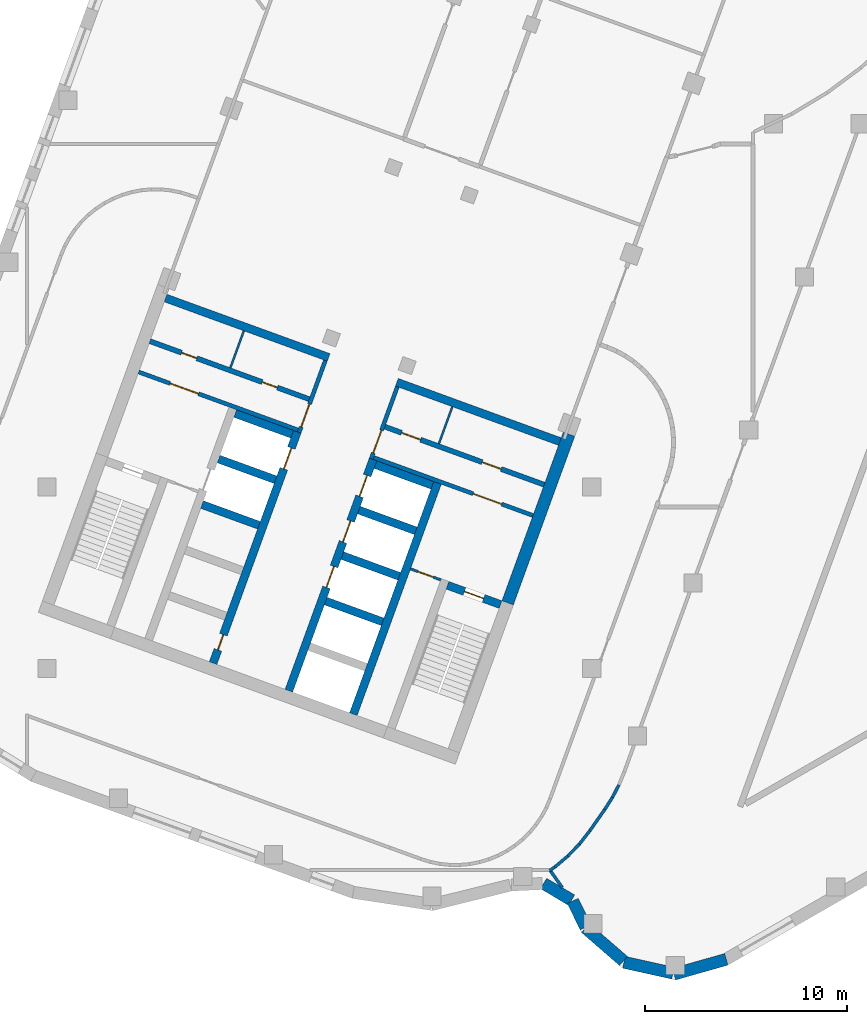
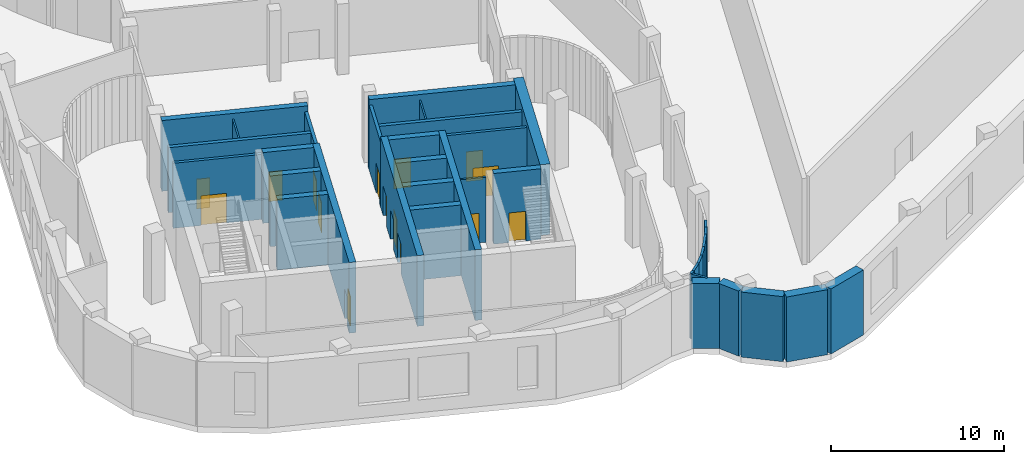
# One storey, part 9 of 24: 36 walls, 15 doors, 15 openings.
"""IFC4 building model written with IfcOpenShell, lengths in metres."""

from ifc_helpers import new_model, si_unit, direction, frame, frame_2d, origin, place, context, subcontext, project, spatial, rectangle, extrude, material, layer, layer_set, type_object, element, fill, save


model = new_model("IFC4")

# Units and contexts
model_context = context("Model", 3, precision=1e-05, world=origin(), true_north=direction((0.0, 1.0)))
body_context = subcontext(model_context, "Body", "Model", "MODEL_VIEW")
ifc_project = project(units=[si_unit("LENGTHUNIT", "METRE"), si_unit("AREAUNIT", "SQUARE_METRE"), si_unit("VOLUMEUNIT", "CUBIC_METRE"), si_unit("PLANEANGLEUNIT", "RADIAN"), si_unit("MASSUNIT", "GRAM", prefix="KILO")], contexts=[model_context])

# Site, building, storey
site_placement = place(None, origin())
site = spatial("IfcSite", under=ifc_project, at=site_placement, CompositionType="ELEMENT")
building_placement = place(site_placement, origin())
building = spatial("IfcBuilding", under=site, at=building_placement, Name="Skarvind Civic Tower", CompositionType="ELEMENT")
storey_placement = place(building_placement, frame((0.0, 0.0, 12.5)))
storey = spatial("IfcBuildingStorey", under=building, at=storey_placement, Name="L02", CompositionType="ELEMENT", Elevation=12.5)

# Wall, opening, door
ifc_material_1 = material(Name="Fire-rated masonry partition", Category="masonry")
ifc_layer_1 = layer(ifc_material_1, 0.199951171875)
ifc_layer_set_1 = layer_set([ifc_layer_1], Name="Core enclosure wall 200")
wall_type_1 = type_object("IfcWallType", Name="Core enclosure wall 200", PredefinedType="PARTITIONING", material=ifc_layer_set_1)
wall_1_placement = place(storey_placement, frame((31.491455078125, 93.693359375, 0.0), z_axis=(0.0, 0.0, 1.0), x_axis=(0.341995824804, 0.939701471648, 0.0)))
wall_1 = element("IfcWall", 1, at=wall_1_placement, inside=storey, type_object=wall_type_1, Name="Core wall C2", PredefinedType="PARTITIONING", context=body_context, shape_type="SweptSolid", body=[
    extrude(rectangle(XDim=3.800048828125, YDim=0.199951171875, at=frame_2d((1.89990234375, 0.0))), origin(), (0.0, 0.0, 1.0), 4.60009765625),
])
opening_1_placement = place(wall_1_placement, frame((0.300048828125, 0.0, 0.0)))
opening_1 = element("IfcOpeningElement", 2, at=opening_1_placement, cuts=wall_1, Name="Opening D-L02-C2-06", PredefinedType="OPENING", context=body_context, shape_type="SweptSolid", body=[
    extrude(rectangle(XDim=1.199951171875, YDim=2.10009765625, at=frame_2d((0.60009765625, 1.050048828125))), frame((0.0, 0.10986328125, 0.0), z_axis=(0.0, -1.0, 0.0), x_axis=(1.0, 0.0, 0.0)), (0.0, 0.0, 1.0), 0.219970703125),
])
ifc_material_2 = material(Name="Fire-rated steel door", Category="steel")
door_type_1 = type_object("IfcDoorType", Name="Core lobby door 1200", OperationType="NOTDEFINED", PredefinedType="DOOR", material=ifc_material_2)
door_1_placement = place(opening_1_placement, origin())
door_1 = element("IfcDoor", 3, at=door_1_placement, inside=storey, type_object=door_type_1, Name="Fire door", OperationType="DOUBLE_DOOR_SINGLE_SWING", OverallHeight=2.10009765625, OverallWidth=1.199951171875, PredefinedType="DOOR", context=body_context, shape_type="SweptSolid", body=[
    extrude(rectangle(XDim=1.199951171875, YDim=2.10009765625, at=frame_2d((0.60009765625, 1.050048828125))), frame((0.0, 0.02490234375, 0.0), z_axis=(0.0, -1.0, 0.0), x_axis=(1.0, 0.0, 0.0)), (0.0, 0.0, 1.0), 0.050048828125),
])
fill(opening_1, door_1)

wall_2_placement = place(storey_placement, frame((23.5380859375, 96.6943359375, 0.0), z_axis=(0.0, 0.0, 1.0), x_axis=(0.939691552312, -0.342023078919, 0.0)))
wall_2 = element("IfcWall", 4, at=wall_2_placement, inside=storey, type_object=wall_type_1, Name="Core wall C2", PredefinedType="PARTITIONING", context=body_context, shape_type="SweptSolid", body=[
    extrude(rectangle(XDim=8.400146484375, YDim=0.199951171875, at=frame_2d((4.2001953125, 0.0))), origin(), (0.0, 0.0, 1.0), 4.60009765625),
])
opening_2_placement = place(wall_2_placement, frame((1.64990234375, 0.0, 0.0)))
opening_2 = element("IfcOpeningElement", 5, at=opening_2_placement, cuts=wall_2, Name="Opening D-L02-C2-07", PredefinedType="OPENING", context=body_context, shape_type="SweptSolid", body=[
    extrude(rectangle(XDim=1.5, YDim=2.10009765625, at=frame_2d((0.75, 1.050048828125))), frame((0.0, 0.10986328125, 0.0), z_axis=(0.0, -1.0, 0.0), x_axis=(1.0, 0.0, 0.0)), (0.0, 0.0, 1.0), 0.219970703125),
])
door_type_2 = type_object("IfcDoorType", Name="Fire door 1500", OperationType="NOTDEFINED", PredefinedType="DOOR", material=ifc_material_2)
door_2_placement = place(opening_2_placement, origin())
door_2 = element("IfcDoor", 6, at=door_2_placement, inside=storey, type_object=door_type_2, Name="Fire door", OperationType="DOUBLE_DOOR_SINGLE_SWING", OverallHeight=2.10009765625, OverallWidth=1.5, PredefinedType="DOOR", context=body_context, shape_type="SweptSolid", body=[
    extrude(rectangle(XDim=1.5, YDim=2.10009765625, at=frame_2d((0.75, 1.050048828125))), frame((0.0, 0.02490234375, 0.0), z_axis=(0.0, -1.0, 0.0), x_axis=(1.0, 0.0, 0.0)), (0.0, 0.0, 1.0), 0.050048828125),
])
fill(opening_2, door_2)

wall_3_placement = place(storey_placement, frame((36.36181640625, 95.96435546875, 0.0), z_axis=(0.0, 0.0, 1.0), x_axis=(-0.341995824804, -0.939701471648, 0.0)))
wall_3 = element("IfcWall", 7, at=wall_3_placement, inside=storey, type_object=wall_type_1, Name="Core wall C2", PredefinedType="PARTITIONING", context=body_context, shape_type="SweptSolid", body=[
    extrude(rectangle(XDim=3.800048828125, YDim=0.199951171875, at=frame_2d((1.89990234375, 0.0))), origin(), (0.0, 0.0, 1.0), 4.60009765625),
])
opening_3_placement = place(wall_3_placement, frame((2.300048828125, 0.0, 0.0)))
opening_3 = element("IfcOpeningElement", 8, at=opening_3_placement, cuts=wall_3, Name="Opening D-L02-C2-12", PredefinedType="OPENING", context=body_context, shape_type="SweptSolid", body=[
    extrude(rectangle(XDim=1.199951171875, YDim=2.10009765625, at=frame_2d((0.60009765625, 1.050048828125))), frame((0.0, 0.10986328125, 0.0), z_axis=(0.0, -1.0, 0.0), x_axis=(1.0, 0.0, 0.0)), (0.0, 0.0, 1.0), 0.219970703125),
])
door_3_placement = place(opening_3_placement, origin())
door_3 = element("IfcDoor", 9, at=door_3_placement, inside=storey, type_object=door_type_1, Name="Fire door", OperationType="DOUBLE_DOOR_SINGLE_SWING", OverallHeight=2.10009765625, OverallWidth=1.199951171875, PredefinedType="DOOR", context=body_context, shape_type="SweptSolid", body=[
    extrude(rectangle(XDim=1.199951171875, YDim=2.10009765625, at=frame_2d((0.60009765625, 1.050048828125))), frame((0.0, 0.02490234375, 0.0), z_axis=(0.0, -1.0, 0.0), x_axis=(1.0, 0.0, 0.0)), (0.0, 0.0, 1.0), 0.050048828125),
])
fill(opening_3, door_3)

wall_4_placement = place(storey_placement, frame((35.1904296875, 92.453369140625, 0.0), z_axis=(0.0, 0.0, 1.0), x_axis=(0.939691552312, -0.342023078919, 0.0)))
wall_4 = element("IfcWall", 10, at=wall_4_placement, inside=storey, type_object=wall_type_1, Name="Core wall C2", PredefinedType="PARTITIONING", context=body_context, shape_type="SweptSolid", body=[
    extrude(rectangle(XDim=8.400146484375, YDim=0.199951171875, at=frame_2d((4.2001953125, 0.0))), origin(), (0.0, 0.0, 1.0), 4.60009765625),
])
opening_4_placement = place(wall_4_placement, frame((5.25, 0.0, 0.0)))
opening_4 = element("IfcOpeningElement", 11, at=opening_4_placement, cuts=wall_4, Name="Opening D-L02-C2-13", PredefinedType="OPENING", context=body_context, shape_type="SweptSolid", body=[
    extrude(rectangle(XDim=1.5, YDim=2.10009765625, at=frame_2d((0.75, 1.050048828125))), frame((0.0, 0.10986328125, 0.0), z_axis=(0.0, -1.0, 0.0), x_axis=(1.0, 0.0, 0.0)), (0.0, 0.0, 1.0), 0.219970703125),
])
door_4_placement = place(opening_4_placement, origin())
door_4 = element("IfcDoor", 12, at=door_4_placement, inside=storey, type_object=door_type_2, Name="Fire door", OperationType="DOUBLE_DOOR_SINGLE_SWING", OverallHeight=2.10009765625, OverallWidth=1.5, PredefinedType="DOOR", context=body_context, shape_type="SweptSolid", body=[
    extrude(rectangle(XDim=1.5, YDim=2.10009765625, at=frame_2d((0.75, 1.050048828125))), frame((0.0, 0.02490234375, 0.0), z_axis=(0.0, -1.0, 0.0), x_axis=(1.0, 0.0, 0.0)), (0.0, 0.0, 1.0), 0.050048828125),
])
fill(opening_4, door_4)

# Walls
ifc_material_3 = material(Name="Fire-rated plasterboard partition")
ifc_layer_2 = layer(ifc_material_3, 0.10009765625)
ifc_layer_set_2 = layer_set([ifc_layer_2], Name="Core partition wall 100")
wall_type_2 = type_object("IfcWallType", Name="Core partition wall 100", PredefinedType="PARTITIONING", material=ifc_layer_set_2)
for number, where, z_axis, x_axis, name in (
    (13, (28.08349609375, 96.90234375, 0.0), (0.0, 0.0, 1.0), (0.342024501273, 0.939691034611, 0.0), "Core wall C2"),
    (14, (39.087158203125, 94.97265625, 0.0), (0.0, 0.0, 1.0), (-0.342024501273, -0.939691034611, 0.0), "Core wall C2"),
):
    element("IfcWall", number, at=place(storey_placement, frame(where, z_axis=z_axis, x_axis=x_axis)), inside=storey, type_object=wall_type_2, Name=name, PredefinedType="PARTITIONING", context=body_context, shape_type="SweptSolid", body=[
        extrude(rectangle(XDim=1.9501953125, YDim=0.10009765625, at=frame_2d((0.97509765625, 0.0))), origin(), (0.0, 0.0, 1.0), 4.60009765625),
    ])

# Wall, opening, door
ifc_material_4 = material(Name="Concrete C80", Category="concrete")
ifc_layer_3 = layer(ifc_material_4, 0.39990234375)
ifc_layer_set_3 = layer_set([ifc_layer_3], Name="Core wall 400 C80")
wall_type_3 = type_object("IfcWallType", Name="Core wall 400 C80", PredefinedType="SHEAR", material=ifc_layer_set_3)
wall_5_placement = place(storey_placement, frame((41.476318359375, 85.163818359375, 0.0), z_axis=(0.0, 0.0, 1.0), x_axis=(-0.939678810556, 0.342058084236, 0.0)))
wall_5 = element("IfcWall", 15, at=wall_5_placement, inside=storey, type_object=wall_type_3, Name="Core wall C2 south stair end L02", PredefinedType="SHEAR", context=body_context, shape_type="SweptSolid", body=[
    extrude(rectangle(XDim=2.800048828125, YDim=0.39990234375, at=frame_2d((1.39990234375, 0.0))), origin(), (0.0, 0.0, 1.0), 5.0),
])
opening_5_placement = place(wall_5_placement, frame((0.89990234375, 0.0, 0.0)))
opening_5 = element("IfcOpeningElement", 16, at=opening_5_placement, cuts=wall_5, Name="Opening D-L02-C2-14", PredefinedType="OPENING", context=body_context, shape_type="SweptSolid", body=[
    extrude(rectangle(XDim=1.0, YDim=2.10009765625, at=frame_2d((0.5, 1.050048828125))), frame((0.0, 0.2099609375, 0.0), z_axis=(0.0, -1.0, 0.0), x_axis=(1.0, 0.0, 0.0)), (0.0, 0.0, 1.0), 0.419921875),
])
door_type_3 = type_object("IfcDoorType", Name="Fire door 1000", OperationType="NOTDEFINED", PredefinedType="DOOR", material=ifc_material_2)
door_5_placement = place(opening_5_placement, origin())
door_5 = element("IfcDoor", 17, at=door_5_placement, inside=storey, type_object=door_type_3, Name="Fire door", OperationType="SINGLE_SWING_RIGHT", OverallHeight=2.10009765625, OverallWidth=1.0, PredefinedType="DOOR", context=body_context, shape_type="SweptSolid", body=[
    extrude(rectangle(XDim=1.0, YDim=2.10009765625, at=frame_2d((0.5, 1.050048828125))), frame((0.0, 0.02490234375, 0.0), z_axis=(0.0, -1.0, 0.0), x_axis=(1.0, 0.0, 0.0)), (0.0, 0.0, 1.0), 0.050048828125),
])
fill(opening_5, door_5)

# Wall, openings, doors
wall_6_placement = place(storey_placement, frame((30.983642578125, 80.895263671875, 0.0), z_axis=(0.0, 0.0, 1.0), x_axis=(0.342021021735, 0.939692301071, 0.0)))
wall_6 = element("IfcWall", 18, at=wall_6_placement, inside=storey, type_object=wall_type_3, Name="Core wall C2 south lift row front L02", PredefinedType="SHEAR", context=body_context, shape_type="SweptSolid", body=[
    extrude(rectangle(XDim=12.199951171875, YDim=0.39990234375, at=frame_2d((6.10009765625, 0.0))), origin(), (0.0, 0.0, 1.0), 5.0),
])
opening_6_placement = place(wall_6_placement, frame((5.449951171875, 0.0, 0.0)))
opening_6 = element("IfcOpeningElement", 19, at=opening_6_placement, cuts=wall_6, Name="Opening LD04208", PredefinedType="OPENING", context=body_context, shape_type="SweptSolid", body=[
    extrude(rectangle(XDim=1.10009765625, YDim=2.10009765625, at=frame_2d((0.550048828125, 1.050048828125))), frame((0.0, 0.2099609375, 0.0), z_axis=(0.0, -1.0, 0.0), x_axis=(1.0, 0.0, 0.0)), (0.0, 0.0, 1.0), 0.419921875),
])
opening_7_placement = place(wall_6_placement, frame((7.85009765625, 0.0, 0.0)))
opening_7 = element("IfcOpeningElement", 20, at=opening_7_placement, cuts=wall_6, Name="Opening LD04209", PredefinedType="OPENING", context=body_context, shape_type="SweptSolid", body=[
    extrude(rectangle(XDim=1.10009765625, YDim=2.10009765625, at=frame_2d((0.550048828125, 1.050048828125))), frame((0.0, 0.2099609375, 0.0), z_axis=(0.0, -1.0, 0.0), x_axis=(1.0, 0.0, 0.0)), (0.0, 0.0, 1.0), 0.419921875),
])
opening_8_placement = place(wall_6_placement, frame((10.25, 0.0, 0.0)))
opening_8 = element("IfcOpeningElement", 21, at=opening_8_placement, cuts=wall_6, Name="Opening LD04210", PredefinedType="OPENING", context=body_context, shape_type="SweptSolid", body=[
    extrude(rectangle(XDim=1.10009765625, YDim=2.10009765625, at=frame_2d((0.550048828125, 1.050048828125))), frame((0.0, 0.2099609375, 0.0), z_axis=(0.0, -1.0, 0.0), x_axis=(1.0, 0.0, 0.0)), (0.0, 0.0, 1.0), 0.419921875),
])
ifc_material_5 = material(Name="Stainless steel landing door", Category="steel")
door_type_4 = type_object("IfcDoorType", Name="Lift landing door 1100", OperationType="DOUBLE_DOOR_SLIDING", PredefinedType="DOOR", material=ifc_material_5)
door_6_placement = place(opening_6_placement, origin())
door_6 = element("IfcDoor", 22, at=door_6_placement, inside=storey, type_object=door_type_4, Name="Lift landing door", OperationType="DOUBLE_DOOR_SLIDING", OverallHeight=2.10009765625, OverallWidth=1.10009765625, PredefinedType="DOOR", context=body_context, shape_type="SweptSolid", body=[
    extrude(rectangle(XDim=1.10009765625, YDim=2.10009765625, at=frame_2d((0.550048828125, 1.050048828125))), frame((0.0, 0.02490234375, 0.0), z_axis=(0.0, -1.0, 0.0), x_axis=(1.0, 0.0, 0.0)), (0.0, 0.0, 1.0), 0.050048828125),
])
fill(opening_6, door_6)
door_7_placement = place(opening_7_placement, origin())
door_7 = element("IfcDoor", 23, at=door_7_placement, inside=storey, type_object=door_type_4, Name="Lift landing door", OperationType="DOUBLE_DOOR_SLIDING", OverallHeight=2.10009765625, OverallWidth=1.10009765625, PredefinedType="DOOR", context=body_context, shape_type="SweptSolid", body=[
    extrude(rectangle(XDim=1.10009765625, YDim=2.10009765625, at=frame_2d((0.550048828125, 1.050048828125))), frame((0.0, 0.02490234375, 0.0), z_axis=(0.0, -1.0, 0.0), x_axis=(1.0, 0.0, 0.0)), (0.0, 0.0, 1.0), 0.050048828125),
])
fill(opening_7, door_7)
door_8_placement = place(opening_8_placement, origin())
door_8 = element("IfcDoor", 24, at=door_8_placement, inside=storey, type_object=door_type_4, Name="Lift landing door", OperationType="DOUBLE_DOOR_SLIDING", OverallHeight=2.10009765625, OverallWidth=1.10009765625, PredefinedType="DOOR", context=body_context, shape_type="SweptSolid", body=[
    extrude(rectangle(XDim=1.10009765625, YDim=2.10009765625, at=frame_2d((0.550048828125, 1.050048828125))), frame((0.0, 0.02490234375, 0.0), z_axis=(0.0, -1.0, 0.0), x_axis=(1.0, 0.0, 0.0)), (0.0, 0.0, 1.0), 0.050048828125),
])
fill(opening_8, door_8)

# Walls
wall_7_placement = place(storey_placement, frame((34.178466796875, 79.732177734375, 0.0), z_axis=(0.0, 0.0, 1.0), x_axis=(0.342014590177, 0.939694641948, 0.0)))
element("IfcWall", 25, at=wall_7_placement, inside=storey, type_object=wall_type_3, Name="Core wall C2 south lift row back L02", PredefinedType="SHEAR", context=body_context, shape_type="SweptSolid", body=[
    extrude(rectangle(XDim=12.2001953125, YDim=0.39990234375, at=frame_2d((6.10009765625, 0.0))), origin(), (0.0, 0.0, 1.0), 5.0),
])
for number, where, z_axis, x_axis, name in (
    (26, (35.63232421875, 84.311279296875, 0.0), (0.0, 0.0, 1.0), (-0.939712609717, 0.341965219194, 0.0), "Core wall C2 south lift row division 2 L02"),
    (27, (36.453125, 86.56640625, 0.0), (0.0, 0.0, 1.0), (-0.939686455819, 0.342037080957, 0.0), "Core wall C2 south lift row division 3 L02"),
    (28, (37.27392578125, 88.82177734375, 0.0), (0.0, 0.0, 1.0), (-0.939686455819, 0.342037080957, 0.0), "Core wall C2 south lift row division 4 L02"),
):
    element("IfcWall", number, at=place(storey_placement, frame(where, z_axis=z_axis, x_axis=x_axis)), inside=storey, type_object=wall_type_3, Name=name, PredefinedType="SHEAR", context=body_context, shape_type="SweptSolid", body=[
        extrude(rectangle(XDim=3.0, YDim=0.39990234375, at=frame_2d((1.5, 0.0))), origin(), (0.0, 0.0, 1.0), 5.0),
    ])
wall_8_placement = place(storey_placement, frame((38.0947265625, 91.076904296875, 0.0), z_axis=(0.0, 0.0, 1.0), x_axis=(-0.939676934218, 0.342063238742, 0.0)))
element("IfcWall", 29, at=wall_8_placement, inside=storey, type_object=wall_type_3, Name="Core wall C2 south lift row division 5 L02", PredefinedType="SHEAR", context=body_context, shape_type="SweptSolid", body=[
    extrude(rectangle(XDim=2.999755859375, YDim=0.39990234375, at=frame_2d((1.5, 0.0))), origin(), (0.0, 0.0, 1.0), 5.0),
])

# Wall, openings, doors
wall_9_placement = place(storey_placement, frame((27.224853515625, 82.26318359375, 0.0), z_axis=(0.0, 0.0, 1.0), x_axis=(0.342014590177, 0.939694641948, 0.0)))
wall_9 = element("IfcWall", 30, at=wall_9_placement, inside=storey, type_object=wall_type_3, Name="Core wall C2 north lift row front L02", PredefinedType="SHEAR", context=body_context, shape_type="SweptSolid", body=[
    extrude(rectangle(XDim=12.2001953125, YDim=0.39990234375, at=frame_2d((6.10009765625, 0.0))), origin(), (0.0, 0.0, 1.0), 5.0),
])
opening_9_placement = place(wall_9_placement, frame((10.25, 0.0, 0.0)))
opening_9 = element("IfcOpeningElement", 31, at=opening_9_placement, cuts=wall_9, Name="Opening LD04205", PredefinedType="OPENING", context=body_context, shape_type="SweptSolid", body=[
    extrude(rectangle(XDim=1.10009765625, YDim=2.10009765625, at=frame_2d((0.550048828125, 1.050048828125))), frame((0.0, 0.2099609375, 0.0), z_axis=(0.0, -1.0, 0.0), x_axis=(1.0, 0.0, 0.0)), (0.0, 0.0, 1.0), 0.419921875),
])
opening_10_placement = place(wall_9_placement, frame((0.699951171875, 0.0, 0.0)))
opening_10 = element("IfcOpeningElement", 32, at=opening_10_placement, cuts=wall_9, Name="Opening D-L02-C2-05", PredefinedType="OPENING", context=body_context, shape_type="SweptSolid", body=[
    extrude(rectangle(XDim=0.800048828125, YDim=2.10009765625, at=frame_2d((0.39990234375, 1.050048828125))), frame((0.0, 0.2099609375, 0.0), z_axis=(0.0, -1.0, 0.0), x_axis=(1.0, 0.0, 0.0)), (0.0, 0.0, 1.0), 0.419921875),
])
door_type_5 = type_object("IfcDoorType", Name="Core riser door 800", OperationType="NOTDEFINED", PredefinedType="DOOR", material=ifc_material_2)
door_9_placement = place(opening_10_placement, origin())
door_9 = element("IfcDoor", 33, at=door_9_placement, inside=storey, type_object=door_type_5, Name="Riser door", OperationType="SINGLE_SWING_LEFT", OverallHeight=2.10009765625, OverallWidth=0.800048828125, PredefinedType="DOOR", context=body_context, shape_type="SweptSolid", body=[
    extrude(rectangle(XDim=0.800048828125, YDim=2.10009765625, at=frame_2d((0.39990234375, 1.050048828125))), frame((0.0, 0.02490234375, 0.0), z_axis=(0.0, -1.0, 0.0), x_axis=(1.0, 0.0, 0.0)), (0.0, 0.0, 1.0), 0.050048828125),
])
fill(opening_10, door_9)
door_10_placement = place(opening_9_placement, origin())
door_10 = element("IfcDoor", 34, at=door_10_placement, inside=storey, type_object=door_type_4, Name="Lift landing door", OperationType="DOUBLE_DOOR_SLIDING", OverallHeight=2.10009765625, OverallWidth=1.10009765625, PredefinedType="DOOR", context=body_context, shape_type="SweptSolid", body=[
    extrude(rectangle(XDim=1.10009765625, YDim=2.10009765625, at=frame_2d((0.550048828125, 1.050048828125))), frame((0.0, 0.02490234375, 0.0), z_axis=(0.0, -1.0, 0.0), x_axis=(1.0, 0.0, 0.0)), (0.0, 0.0, 1.0), 0.050048828125),
])
fill(opening_9, door_10)

# Walls
for number, where, z_axis, x_axis, name in (
    (35, (29.49951171875, 89.097412109375, 0.0), (0.0, 0.0, 1.0), (-0.939686455819, 0.342037080957, 0.0), "Core wall C2 north lift row division 3 L02"),
    (36, (30.3203125, 91.352783203125, 0.0), (0.0, 0.0, 1.0), (-0.939712609717, 0.341965219194, 0.0), "Core wall C2 north lift row division 4 L02"),
    (37, (31.14111328125, 93.60791015625, 0.0), (0.0, 0.0, 1.0), (-0.939686455819, 0.342037080957, 0.0), "Core wall C2 north lift row division 5 L02"),
):
    element("IfcWall", number, at=place(storey_placement, frame(where, z_axis=z_axis, x_axis=x_axis)), inside=storey, type_object=wall_type_3, Name=name, PredefinedType="SHEAR", context=body_context, shape_type="SweptSolid", body=[
        extrude(rectangle(XDim=3.0, YDim=0.39990234375, at=frame_2d((1.5, 0.0))), origin(), (0.0, 0.0, 1.0), 5.0),
    ])
for number, where, z_axis, x_axis, name in (
    (38, (44.417724609375, 93.2451171875, 0.0), (0.0, 0.0, 1.0), (-0.93969060187, 0.342025690201, 0.0), "Core wall C2 south inner face L02"),
    (39, (32.953369140625, 97.417724609375, 0.0), (0.0, 0.0, 1.0), (-0.93969060187, 0.342025690201, 0.0), "Core wall C2 north inner face L02"),
):
    element("IfcWall", number, at=place(storey_placement, frame(where, z_axis=z_axis, x_axis=x_axis)), inside=storey, type_object=wall_type_3, Name=name, PredefinedType="SHEAR", context=body_context, shape_type="SweptSolid", body=[
        extrude(rectangle(XDim=8.599853515625, YDim=0.39990234375, at=frame_2d((4.2998046875, 0.0))), origin(), (0.0, 0.0, 1.0), 5.0),
    ])
ifc_layer_4 = layer(ifc_material_4, 0.60009765625)
ifc_layer_set_4 = layer_set([ifc_layer_4], Name="Core wall 600 C80")
wall_type_4 = type_object("IfcWallType", Name="Core wall 600 C80", PredefinedType="SHEAR", material=ifc_layer_set_4)
wall_10_placement = place(storey_placement, frame((41.82666015625, 85.249267578125, 0.0), z_axis=(0.0, 0.0, 1.0), x_axis=(0.342016162452, 0.939694069696, 0.0)))
element("IfcWall", 40, at=wall_10_placement, inside=storey, type_object=wall_type_4, Name="Core wall C2 south side L02", PredefinedType="SHEAR", context=body_context, shape_type="SweptSolid", body=[
    extrude(rectangle(XDim=8.89990234375, YDim=0.60009765625, at=frame_2d((4.449951171875, 0.0))), origin(), (0.0, 0.0, 1.0), 5.0),
])
ifc_material_6 = material(Name="Plasterboard partition on steel studs", Category="steel")
ifc_layer_5 = layer(ifc_material_6, 0.14990234375)
ifc_layer_set_5 = layer_set([ifc_layer_5], Name="PARTITION 150")
wall_type_5 = type_object("IfcWallType", Name="PARTITION 150", PredefinedType="PARTITIONING", material=ifc_layer_set_5)
wall_11_placement = place(storey_placement, frame((43.930908203125, 71.9970703125, 0.0), z_axis=(0.0, 0.0, 1.0), x_axis=(0.573633784448, -0.819111885728, 0.0)))
element("IfcWall", 41, at=wall_11_placement, inside=storey, type_object=wall_type_5, Name="Podium partition L02 064", PredefinedType="PARTITIONING", context=body_context, shape_type="SweptSolid", body=[
    extrude(rectangle(XDim=1.05126953125, YDim=0.14990234375, at=frame_2d((0.525634765625, 0.0))), origin(), (0.0, 0.0, 1.0), 4.60009765625),
])
wall_12_placement = place(storey_placement, frame((43.916015625, 71.987060546875, 0.0), z_axis=(0.0, 0.0, 1.0), x_axis=(0.830049599783, 0.557689574854, 0.0)))
element("IfcWall", 42, at=wall_12_placement, inside=storey, type_object=wall_type_5, Name="Podium partition L02 066", PredefinedType="PARTITIONING", context=body_context, shape_type="SweptSolid", body=[
    extrude(rectangle(XDim=0.30126953125, YDim=0.14990234375, at=frame_2d((0.150634765625, 0.0))), origin(), (0.0, 0.0, 1.0), 4.60009765625),
])
wall_13_placement = place(storey_placement, frame((44.159912109375, 72.14990234375, 0.0), z_axis=(0.0, 0.0, 1.0), x_axis=(0.76527802178, 0.643699890773, 0.0)))
element("IfcWall", 43, at=wall_13_placement, inside=storey, type_object=wall_type_5, Name="Podium partition L02 067", PredefinedType="PARTITIONING", context=body_context, shape_type="SweptSolid", body=[
    extrude(rectangle(XDim=0.845458984375, YDim=0.14990234375, at=frame_2d((0.4228515625, 0.0))), origin(), (0.0, 0.0, 1.0), 4.60009765625),
])
wall_14_placement = place(storey_placement, frame((44.801025390625, 72.68798828125, 0.0), z_axis=(0.0, 0.0, 1.0), x_axis=(0.69445039199, 0.719540584724, 0.0)))
element("IfcWall", 44, at=wall_14_placement, inside=storey, type_object=wall_type_5, Name="Podium partition L02 069", PredefinedType="PARTITIONING", context=body_context, shape_type="SweptSolid", body=[
    extrude(rectangle(XDim=0.846435546875, YDim=0.14990234375, at=frame_2d((0.42333984375, 0.0))), origin(), (0.0, 0.0, 1.0), 4.60009765625),
])
wall_15_placement = place(storey_placement, frame((45.384033203125, 73.291015625, 0.0), z_axis=(0.0, 0.0, 1.0), x_axis=(0.615262082459, 0.788322630582, 0.0)))
element("IfcWall", 45, at=wall_15_placement, inside=storey, type_object=wall_type_5, Name="Podium partition L02 070", PredefinedType="PARTITIONING", context=body_context, shape_type="SweptSolid", body=[
    extrude(rectangle(XDim=0.843505859375, YDim=0.14990234375, at=frame_2d((0.421875, 0.0))), origin(), (0.0, 0.0, 1.0), 4.60009765625),
])
wall_16_placement = place(storey_placement, frame((45.90087890625, 73.951904296875, 0.0), z_axis=(0.0, 0.0, 1.0), x_axis=(0.573335928465, 0.819320397117, 0.0)))
element("IfcWall", 46, at=wall_16_placement, inside=storey, type_object=wall_type_5, Name="Podium partition L02 071", PredefinedType="PARTITIONING", context=body_context, shape_type="SweptSolid", body=[
    extrude(rectangle(XDim=1.296142578125, YDim=0.14990234375, at=frame_2d((0.64794921875, 0.0))), origin(), (0.0, 0.0, 1.0), 4.60009765625),
])
wall_17_placement = place(storey_placement, frame((46.64404296875, 75.013916015625, 0.0), z_axis=(0.0, 0.0, 1.0), x_axis=(0.537708998539, 0.843130495766, 0.0)))
element("IfcWall", 47, at=wall_17_placement, inside=storey, type_object=wall_type_5, Name="Podium partition L02 075", PredefinedType="PARTITIONING", context=body_context, shape_type="SweptSolid", body=[
    extrude(rectangle(XDim=0.700927734375, YDim=0.14990234375, at=frame_2d((0.3505859375, 0.0))), origin(), (0.0, 0.0, 1.0), 4.60009765625),
])
wall_18_placement = place(storey_placement, frame((47.01708984375, 75.59912109375, 0.0), z_axis=(0.0, 0.0, 1.0), x_axis=(0.462388443715, 0.886677465101, 0.0)))
element("IfcWall", 48, at=wall_18_placement, inside=storey, type_object=wall_type_5, Name="Podium partition L02 077", PredefinedType="PARTITIONING", context=body_context, shape_type="SweptSolid", body=[
    extrude(rectangle(XDim=0.704833984375, YDim=0.14990234375, at=frame_2d((0.3525390625, 0.0))), origin(), (0.0, 0.0, 1.0), 4.60009765625),
])

# Wall, opening, door
ifc_layer_6 = layer(ifc_material_1, 0.125)
ifc_layer_set_6 = layer_set([ifc_layer_6], Name="Riser wall 125")
wall_type_6 = type_object("IfcWallType", Name="Riser wall 125", PredefinedType="PARTITIONING", material=ifc_layer_set_6)
wall_19_placement = place(storey_placement, frame((37.012939453125, 86.934814453125, 0.0), z_axis=(0.0, 0.0, 1.0), x_axis=(0.939659694648, -0.342110593602, 0.0)))
wall_19 = element("IfcWall", 49, at=wall_19_placement, inside=storey, type_object=wall_type_6, Name="Core wall C2", PredefinedType="PARTITIONING", context=body_context, shape_type="SweptSolid", body=[
    extrude(rectangle(XDim=1.599853515625, YDim=0.125, at=frame_2d((0.7998046875, 0.0))), origin(), (0.0, 0.0, 1.0), 4.60009765625),
])
opening_11_placement = place(wall_19_placement, frame((0.39990234375, 0.0, 0.0)))
opening_11 = element("IfcOpeningElement", 50, at=opening_11_placement, cuts=wall_19, Name="Opening D-L02-C2-15", PredefinedType="OPENING", context=body_context, shape_type="SweptSolid", body=[
    extrude(rectangle(XDim=0.800048828125, YDim=2.10009765625, at=frame_2d((0.39990234375, 1.050048828125))), frame((0.0, 0.072509765625, 0.0), z_axis=(0.0, -1.0, 0.0), x_axis=(1.0, 0.0, 0.0)), (0.0, 0.0, 1.0), 0.14501953125),
])
door_11_placement = place(opening_11_placement, origin())
door_11 = element("IfcDoor", 51, at=door_11_placement, inside=storey, type_object=door_type_5, Name="Riser door", OperationType="SINGLE_SWING_LEFT", OverallHeight=2.10009765625, OverallWidth=0.800048828125, PredefinedType="DOOR", context=body_context, shape_type="SweptSolid", body=[
    extrude(rectangle(XDim=0.800048828125, YDim=2.10009765625, at=frame_2d((0.39990234375, 1.050048828125))), frame((0.0, 0.02490234375, 0.0), z_axis=(0.0, -1.0, 0.0), x_axis=(1.0, 0.0, 0.0)), (0.0, 0.0, 1.0), 0.050048828125),
])
fill(opening_11, door_11)

# Wall, openings, doors
ifc_layer_7 = layer(ifc_material_1, 0.25)
ifc_layer_set_7 = layer_set([ifc_layer_7], Name="Service block wall 250")
wall_type_7 = type_object("IfcWallType", Name="Service block wall 250", PredefinedType="PARTITIONING", material=ifc_layer_set_7)
wall_20_placement = place(storey_placement, frame((24.093994140625, 98.221435546875, 0.0), z_axis=(0.0, 0.0, 1.0), x_axis=(0.939691552312, -0.342023078919, 0.0)))
wall_20 = element("IfcWall", 52, at=wall_20_placement, inside=storey, type_object=wall_type_7, Name="Core wall C2", PredefinedType="PARTITIONING", context=body_context, shape_type="SweptSolid", body=[
    extrude(rectangle(XDim=8.400146484375, YDim=0.25, at=frame_2d((4.2001953125, 0.0))), origin(), (0.0, 0.0, 1.0), 4.60009765625),
])
opening_12_placement = place(wall_20_placement, frame((5.925048828125, 0.0, 0.0)))
opening_12 = element("IfcOpeningElement", 53, at=opening_12_placement, cuts=wall_20, Name="Opening D-L02-C2-10", PredefinedType="OPENING", context=body_context, shape_type="SweptSolid", body=[
    extrude(rectangle(XDim=0.800048828125, YDim=2.10009765625, at=frame_2d((0.39990234375, 1.050048828125))), frame((0.0, 0.135009765625, 0.0), z_axis=(0.0, -1.0, 0.0), x_axis=(1.0, 0.0, 0.0)), (0.0, 0.0, 1.0), 0.27001953125),
])
opening_13_placement = place(wall_20_placement, frame((1.675048828125, 0.0, 0.0)))
opening_13 = element("IfcOpeningElement", 54, at=opening_13_placement, cuts=wall_20, Name="Opening D-L02-C2-11", PredefinedType="OPENING", context=body_context, shape_type="SweptSolid", body=[
    extrude(rectangle(XDim=0.800048828125, YDim=2.10009765625, at=frame_2d((0.39990234375, 1.050048828125))), frame((0.0, 0.135009765625, 0.0), z_axis=(0.0, -1.0, 0.0), x_axis=(1.0, 0.0, 0.0)), (0.0, 0.0, 1.0), 0.27001953125),
])
door_12_placement = place(opening_12_placement, origin())
door_12 = element("IfcDoor", 55, at=door_12_placement, inside=storey, type_object=door_type_5, Name="Riser door", OperationType="SINGLE_SWING_LEFT", OverallHeight=2.10009765625, OverallWidth=0.800048828125, PredefinedType="DOOR", context=body_context, shape_type="SweptSolid", body=[
    extrude(rectangle(XDim=0.800048828125, YDim=2.10009765625, at=frame_2d((0.39990234375, 1.050048828125))), frame((0.0, 0.02490234375, 0.0), z_axis=(0.0, -1.0, 0.0), x_axis=(1.0, 0.0, 0.0)), (0.0, 0.0, 1.0), 0.050048828125),
])
fill(opening_12, door_12)
door_13_placement = place(opening_13_placement, origin())
door_13 = element("IfcDoor", 56, at=door_13_placement, inside=storey, type_object=door_type_5, Name="Riser door", OperationType="SINGLE_SWING_RIGHT", OverallHeight=2.10009765625, OverallWidth=0.800048828125, PredefinedType="DOOR", context=body_context, shape_type="SweptSolid", body=[
    extrude(rectangle(XDim=0.800048828125, YDim=2.10009765625, at=frame_2d((0.39990234375, 1.050048828125))), frame((0.0, 0.02490234375, 0.0), z_axis=(0.0, -1.0, 0.0), x_axis=(1.0, 0.0, 0.0)), (0.0, 0.0, 1.0), 0.050048828125),
])
fill(opening_13, door_13)

wall_21_placement = place(storey_placement, frame((35.74609375, 93.98046875, 0.0), z_axis=(0.0, 0.0, 1.0), x_axis=(0.939691552312, -0.342023078919, 0.0)))
wall_21 = element("IfcWall", 57, at=wall_21_placement, inside=storey, type_object=wall_type_7, Name="Core wall C2", PredefinedType="PARTITIONING", context=body_context, shape_type="SweptSolid", body=[
    extrude(rectangle(XDim=8.400146484375, YDim=0.25, at=frame_2d((4.2001953125, 0.0))), origin(), (0.0, 0.0, 1.0), 4.60009765625),
])
opening_14_placement = place(wall_21_placement, frame((0.875, 0.0, 0.0)))
opening_14 = element("IfcOpeningElement", 58, at=opening_14_placement, cuts=wall_21, Name="Opening D-L02-C2-16", PredefinedType="OPENING", context=body_context, shape_type="SweptSolid", body=[
    extrude(rectangle(XDim=1.0, YDim=2.10009765625, at=frame_2d((0.5, 1.050048828125))), frame((0.0, 0.135009765625, 0.0), z_axis=(0.0, -1.0, 0.0), x_axis=(1.0, 0.0, 0.0)), (0.0, 0.0, 1.0), 0.27001953125),
])
opening_15_placement = place(wall_21_placement, frame((5.125, 0.0, 0.0)))
opening_15 = element("IfcOpeningElement", 59, at=opening_15_placement, cuts=wall_21, Name="Opening D-L02-C2-17", PredefinedType="OPENING", context=body_context, shape_type="SweptSolid", body=[
    extrude(rectangle(XDim=1.0, YDim=2.10009765625, at=frame_2d((0.5, 1.050048828125))), frame((0.0, 0.135009765625, 0.0), z_axis=(0.0, -1.0, 0.0), x_axis=(1.0, 0.0, 0.0)), (0.0, 0.0, 1.0), 0.27001953125),
])
door_14_placement = place(opening_14_placement, origin())
door_14 = element("IfcDoor", 60, at=door_14_placement, inside=storey, type_object=door_type_3, Name="Fire door", OperationType="SINGLE_SWING_RIGHT", OverallHeight=2.10009765625, OverallWidth=1.0, PredefinedType="DOOR", context=body_context, shape_type="SweptSolid", body=[
    extrude(rectangle(XDim=1.0, YDim=2.10009765625, at=frame_2d((0.5, 1.050048828125))), frame((0.0, 0.02490234375, 0.0), z_axis=(0.0, -1.0, 0.0), x_axis=(1.0, 0.0, 0.0)), (0.0, 0.0, 1.0), 0.050048828125),
])
fill(opening_14, door_14)
door_15_placement = place(opening_15_placement, origin())
door_15 = element("IfcDoor", 61, at=door_15_placement, inside=storey, type_object=door_type_3, Name="Fire door", OperationType="SINGLE_SWING_LEFT", OverallHeight=2.10009765625, OverallWidth=1.0, PredefinedType="DOOR", context=body_context, shape_type="SweptSolid", body=[
    extrude(rectangle(XDim=1.0, YDim=2.10009765625, at=frame_2d((0.5, 1.050048828125))), frame((0.0, 0.02490234375, 0.0), z_axis=(0.0, -1.0, 0.0), x_axis=(1.0, 0.0, 0.0)), (0.0, 0.0, 1.0), 0.050048828125),
])
fill(opening_15, door_15)

# Walls
ifc_material_7 = material(Name="Limestone masonry cladding on insulated backing", Category="masonry")
ifc_layer_8 = layer(ifc_material_7, 0.60009765625)
ifc_layer_set_8 = layer_set([ifc_layer_8], Name="WX1 STONE FACADE WALL 600")
wall_type_8 = type_object("IfcWallType", Name="WX1 STONE FACADE WALL 600", PredefinedType="SOLIDWALL", material=ifc_layer_set_8)
wall_22_placement = place(storey_placement, frame((44.998291015625, 70.511474609375, 0.0), z_axis=(0.0, 0.0, 1.0), x_axis=(-0.859405023985, 0.511295418275, 0.0)))
element("IfcWall", 62, at=wall_22_placement, inside=storey, type_object=wall_type_8, Name="STONE FACADE WALL", PredefinedType="SOLIDWALL", context=body_context, shape_type="SweptSolid", body=[
    extrude(rectangle(XDim=1.6171875, YDim=0.60009765625, at=frame_2d((0.80859375, 0.0))), origin(), (0.0, 0.0, 1.0), 4.60009765625),
])
wall_23_placement = place(storey_placement, frame((45.689208984375, 69.1728515625, 0.0), z_axis=(0.0, 0.0, 1.0), x_axis=(-0.435706421579, 0.900088836835, 0.0)))
element("IfcWall", 63, at=wall_23_placement, inside=storey, type_object=wall_type_8, Name="STONE FACADE WALL", PredefinedType="SOLIDWALL", context=body_context, shape_type="SweptSolid", body=[
    extrude(rectangle(XDim=1.447265625, YDim=0.60009765625, at=frame_2d((0.7236328125, 0.0))), origin(), (0.0, 0.0, 1.0), 4.60009765625),
])
for number, where, z_axis, x_axis, name in (
    (64, (47.568603515625, 67.498779296875, 0.0), (0.0, 0.0, 1.0), (-0.755885810724, 0.65470347574, 0.0), "STONE FACADE WALL"),
    (65, (50.026123046875, 66.8916015625, 0.0), (0.0, 0.0, 1.0), (-0.976143335466, 0.217127125495, 0.0), "STONE FACADE WALL"),
):
    element("IfcWall", number, at=place(storey_placement, frame(where, z_axis=z_axis, x_axis=x_axis)), inside=storey, type_object=wall_type_8, Name=name, PredefinedType="SOLIDWALL", context=body_context, shape_type="SweptSolid", body=[
        extrude(rectangle(XDim=2.497314453125, YDim=0.60009765625, at=frame_2d((1.24853515625, 0.0))), origin(), (0.0, 0.0, 1.0), 4.60009765625),
    ])
wall_24_placement = place(storey_placement, frame((52.66943359375, 67.57958984375, 0.0), z_axis=(0.0, 0.0, 1.0), x_axis=(-0.962092295181, -0.272724064859, 0.0)))
element("IfcWall", 66, at=wall_24_placement, inside=storey, type_object=wall_type_8, Name="STONE FACADE WALL", PredefinedType="SOLIDWALL", context=body_context, shape_type="SweptSolid", body=[
    extrude(rectangle(XDim=2.697265625, YDim=0.60009765625, at=frame_2d((1.3486328125, 0.0))), origin(), (0.0, 0.0, 1.0), 4.60009765625),
])

save(model, "model.ifc")
